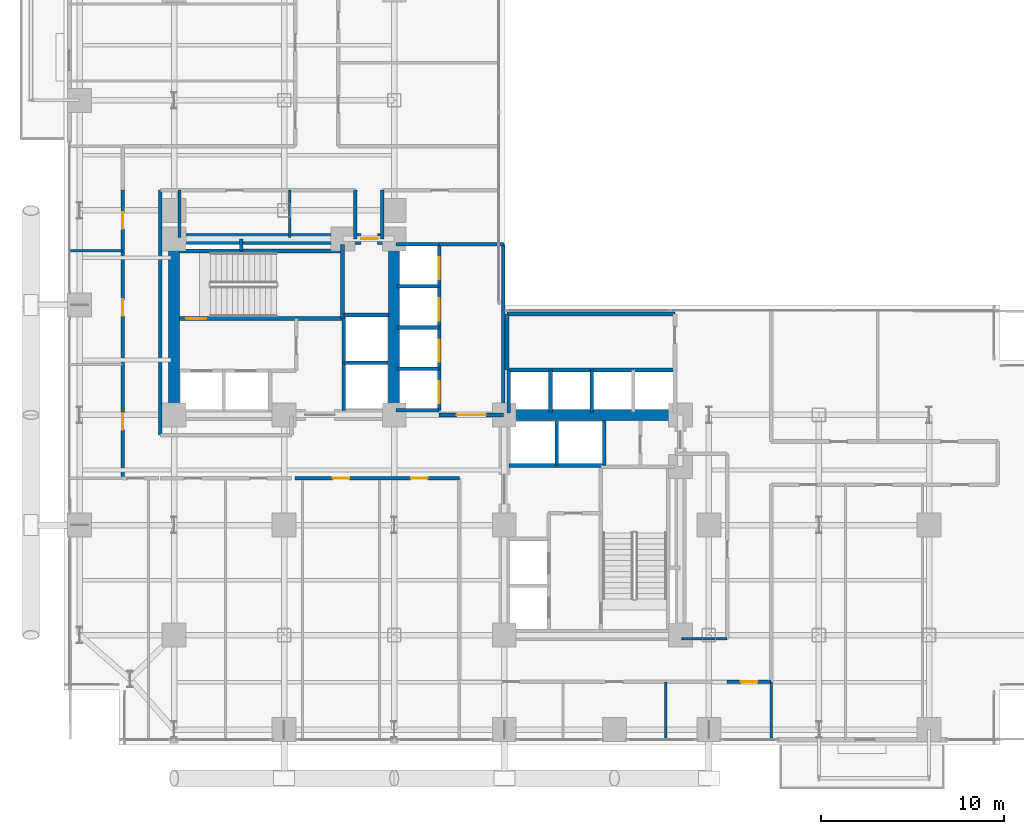
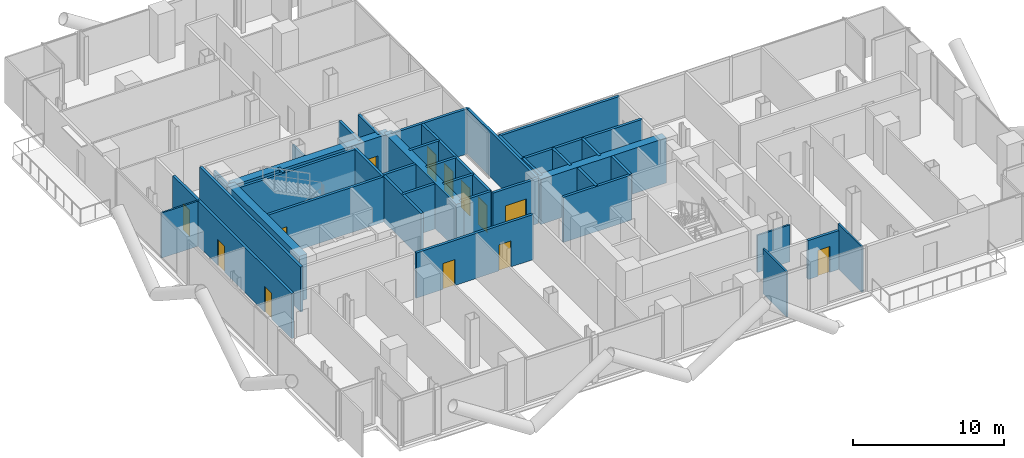
# One storey, part 22 of 27: 41 walls, 13 doors, 13 openings.
"""IFC4 building model written with IfcOpenShell, lengths in metres."""

import ifcopenshell
import ifcopenshell.guid

model = None  # the IFC model being written
_history = None  # IfcOwnerHistory: only IFC2X3 demands one
_inside = {}  # id of a spatial element -> (the spatial element, [elements in it])
_under = {}  # id of a project, library or spatial element -> (it, [spatial elements below it])
_declared = {}  # id of a project -> (the project, [libraries it declares])
_typed = {}  # id of a type object -> (the type object, [elements of that type])
_made_of = {}  # id of a material, layer set ... -> (it, [elements and type objects made of it])


def new_model(schema):
    """Start an empty IFC model of exactly this schema.

    Asked for "IFC4X3", IfcOpenShell would pick the latest addendum, in which some entities
    have other attributes; the version numbers below select the first issue.
    IFC2X3 requires an IfcOwnerHistory on every rooted entity: one is made here for all.
    """
    global model, _history
    if schema == "IFC4X3":
        model = ifcopenshell.file(schema_version=(4, 3, 0, 0))
    else:
        model = ifcopenshell.file(schema=schema)
    _inside.clear()
    _under.clear()
    _declared.clear()
    _typed.clear()
    _made_of.clear()
    _history = None
    if model.schema == "IFC2X3":
        org = make("IfcOrganization", Name="unknown")
        user = make(
            "IfcPersonAndOrganization",
            ThePerson=make("IfcPerson", FamilyName="unknown"),
            TheOrganization=org,
        )
        app = make(
            "IfcApplication",
            ApplicationDeveloper=org,
            Version="unknown",
            ApplicationFullName="unknown",
            ApplicationIdentifier="unknown",
        )
        _history = make(
            "IfcOwnerHistory",
            OwningUser=user,
            OwningApplication=app,
            ChangeAction="ADDED",
            CreationDate=0,
        )
    return model


def make(cls, **values):
    """One entity of the class cls with the attributes given. An attribute that is None is left unset."""
    return model.create_entity(
        cls, **{name: value for name, value in values.items() if value is not None}
    )


def rooted(cls, **values):
    """An entity with a GlobalId (a new one), such as an element, a storey or a relation."""
    return make(cls, GlobalId=ifcopenshell.guid.new(), OwnerHistory=_history, **values)


def si_unit(unit_type, name, prefix=None):
    """IfcSIUnit, for example si_unit("LENGTHUNIT", "METRE", prefix="MILLI")."""
    return make("IfcSIUnit", UnitType=unit_type, Prefix=prefix, Name=name)


def assignment(units):
    """IfcUnitAssignment: the units of a project."""
    return None if units is None else make("IfcUnitAssignment", Units=units)


def point(xyz):
    """IfcCartesianPoint."""
    return None if xyz is None else make("IfcCartesianPoint", Coordinates=xyz)


def direction(xyz):
    """IfcDirection."""
    return None if xyz is None else make("IfcDirection", DirectionRatios=xyz)


def frame(location, z_axis=None, x_axis=None):
    """IfcAxis2Placement3D, a coordinate frame: its origin and axes. An axis left out is left unset."""
    return make(
        "IfcAxis2Placement3D",
        Location=point(location),
        Axis=direction(z_axis),
        RefDirection=direction(x_axis),
    )


def frame_2d(location, x_axis=None):
    """IfcAxis2Placement2D, a coordinate frame in the plane: its origin and x axis."""
    return make(
        "IfcAxis2Placement2D", Location=point(location), RefDirection=direction(x_axis)
    )


def origin():
    """The frame at (0, 0, 0) with its axes left unset."""
    return frame((0.0, 0.0, 0.0))


def place(relative_to, where):
    """IfcLocalPlacement: puts the frame where relative to a parent placement (None: the world)."""
    return make(
        "IfcLocalPlacement", PlacementRelTo=relative_to, RelativePlacement=where
    )


def context(
    kind, dimensions, precision=None, world=None, true_north=None, identifier=None
):
    """IfcGeometricRepresentationContext, for example the 3D "Model" context."""
    return make(
        "IfcGeometricRepresentationContext",
        ContextIdentifier=identifier,
        ContextType=kind,
        CoordinateSpaceDimension=dimensions,
        Precision=precision,
        WorldCoordinateSystem=world,
        TrueNorth=true_north,
    )


def subcontext(parent, identifier, kind, view, scale=None):
    """IfcGeometricRepresentationSubContext, for example "Body" below "Model"."""
    return make(
        "IfcGeometricRepresentationSubContext",
        ContextIdentifier=identifier,
        ContextType=kind,
        ParentContext=parent,
        TargetScale=scale,
        TargetView=view,
    )


def project(units=None, contexts=None):
    """IfcProject with its units and contexts."""
    return rooted(
        "IfcProject",
        Name="project",
        RepresentationContexts=contexts,
        UnitsInContext=assignment(units),
    )


def spatial(cls, under=None, at=None, **own):
    """A site, building, storey or space (cls), placed at a placement, below another one or the project."""
    s = rooted(cls, ObjectPlacement=at, **own)
    if under is not None:
        _under.setdefault(under.id(), (under, []))[1].append(s)
    return s


def profile(cls, at=None, kind="AREA", **sizes):
    """A parametric profile (cls). Its sizes go by their IFC names, for example OverallWidth=200.0."""
    return make(cls, ProfileType=kind, Position=at, **sizes)


def rectangle(**sizes):
    """IfcRectangleProfileDef."""
    return profile("IfcRectangleProfileDef", **sizes)


def extrude(swept, where, along, depth):
    """IfcExtrudedAreaSolid: the profile swept, set in the frame where, extruded along a direction by depth."""
    return make(
        "IfcExtrudedAreaSolid",
        SweptArea=swept,
        Position=where,
        ExtrudedDirection=direction(along),
        Depth=depth,
    )


def shape(context_of_items, identifier, shape_type, items):
    """IfcShapeRepresentation: the items that make up one representation, for example the "Body"."""
    return make(
        "IfcShapeRepresentation",
        ContextOfItems=context_of_items,
        RepresentationIdentifier=identifier,
        RepresentationType=shape_type,
        Items=items,
    )


def material(Name=None, Category=None):
    """IfcMaterial."""
    return make("IfcMaterial", Name=Name, Category=Category)


def layer(
    of_material, thickness, ventilated=None, Name=None, Category=None, Priority=None
):
    """IfcMaterialLayer: one layer of a wall or slab, of a material (None: an air gap)."""
    return make(
        "IfcMaterialLayer",
        Material=of_material,
        LayerThickness=thickness,
        IsVentilated=ventilated,
        Name=Name,
        Category=Category,
        Priority=Priority,
    )


def layer_set(layers, Name=None):
    """IfcMaterialLayerSet."""
    return make("IfcMaterialLayerSet", MaterialLayers=layers, LayerSetName=Name)


def made_of(thing, what):
    """Note that an element or type object is made of a material, layer set ...; save() writes the relation."""
    if what is not None:
        _made_of.setdefault(what.id(), (what, []))[1].append(thing)
    return thing


def type_object(cls, material=None, **own):
    """A type object (cls), such as IfcWallType, which elements share."""
    return made_of(rooted(cls, **own), material)


def element(
    cls,
    number,
    at=None,
    inside=None,
    cuts=None,
    type_object=None,
    material=None,
    context=None,
    identifier="Body",
    shape_type=None,
    held_by="IfcProductDefinitionShape",
    body=None,
    shapes=None,
    **own,
):
    """One element of the class cls, such as IfcWall. Its Tag is "e" and its number.

    at: its placement. inside: the storey or other place that contains it. cuts: it is an
    opening in that element (IfcRelVoidsElement). A single representation is given by context,
    identifier, shape_type and body (its items); several are given by shapes. held_by: the class
    of the entity that holds the representations. save() writes the other relations.
    """
    e = rooted(cls, Tag="e%d" % number, ObjectPlacement=at, **own)
    if body is not None:
        shapes = [shape(context, identifier, shape_type, body)]
    if shapes is not None:
        e.Representation = make(held_by, Representations=shapes)
    if inside is not None:
        _inside.setdefault(inside.id(), (inside, []))[1].append(e)
    if cuts is not None:
        rooted(
            "IfcRelVoidsElement", RelatingBuildingElement=cuts, RelatedOpeningElement=e
        )
    if type_object is not None:
        _typed.setdefault(type_object.id(), (type_object, []))[1].append(e)
    return made_of(e, material)


def fill(opening, filler):
    """IfcRelFillsElement: the door or window that sits in an opening."""
    return rooted(
        "IfcRelFillsElement",
        RelatingOpeningElement=opening,
        RelatedBuildingElement=filler,
    )


def aggregate(whole, parts):
    """IfcRelAggregates: a whole, such as a stair, and the parts it consists of."""
    return rooted("IfcRelAggregates", RelatingObject=whole, RelatedObjects=parts)


def save(model, path):
    """Write the relations noted so far, then the file.

    IfcRelAggregates (storeys below a building ...), IfcRelContainedInSpatialStructure (elements
    in a storey), IfcRelDefinesByType, IfcRelAssociatesMaterial and IfcRelDeclares: one each for
    every whole, place, type object, material and project.
    """
    for whole, parts in _under.values():
        aggregate(whole, parts)
    for where, things in _inside.values():
        rooted(
            "IfcRelContainedInSpatialStructure",
            RelatedElements=things,
            RelatingStructure=where,
        )
    for kind, things in _typed.values():
        rooted("IfcRelDefinesByType", RelatedObjects=things, RelatingType=kind)
    for what, things in _made_of.values():
        rooted("IfcRelAssociatesMaterial", RelatedObjects=things, RelatingMaterial=what)
    for by, libraries in _declared.values():
        rooted("IfcRelDeclares", RelatingContext=by, RelatedDefinitions=libraries)
    model.write(path)


model = new_model("IFC4")

# Units and contexts
model_context = context("Model", 3, precision=1e-05, world=origin(), true_north=direction((0.0, 1.0)))
body_context = subcontext(model_context, "Body", "Model", "MODEL_VIEW")
ifc_project = project(units=[si_unit("LENGTHUNIT", "METRE"), si_unit("AREAUNIT", "SQUARE_METRE"), si_unit("VOLUMEUNIT", "CUBIC_METRE"), si_unit("PLANEANGLEUNIT", "RADIAN"), si_unit("MASSUNIT", "GRAM", prefix="KILO"), si_unit("THERMODYNAMICTEMPERATUREUNIT", "KELVIN"), si_unit("POWERUNIT", "WATT")], contexts=[model_context])

# Site, building, storey
site_placement = place(None, origin())
site = spatial("IfcSite", under=ifc_project, at=site_placement, CompositionType="ELEMENT")
building_placement = place(site_placement, origin())
building = spatial("IfcBuilding", under=site, at=building_placement, Name="Svarakhadi Broadcast Tower", CompositionType="ELEMENT")
storey_placement = place(building_placement, frame((0.0, 0.0, 44.10009765625)))
storey = spatial("IfcBuildingStorey", under=building, at=storey_placement, Name="L09", CompositionType="ELEMENT", Elevation=44.10009765625)

# Wall, opening, door
ifc_material_1 = material(Name="Double-Stud Acoustic Studio Partition STC-62", Category="gypsum")
ifc_layer_1 = layer(ifc_material_1, 0.199951171875)
ifc_layer_set_1 = layer_set([ifc_layer_1], Name="Double-Stud Acoustic Studio Partition STC-62")
wall_type_1 = type_object("IfcWallType", Name="Wall_Acoust_200", PredefinedType="PARTITIONING", material=ifc_layer_set_1)
wall_1_placement = place(storey_placement, frame((38.550048828125, 3.449951171875, 0.0), z_axis=(0.0, 0.0, 1.0), x_axis=(-1.0, 0.0, 0.0)))
wall_1 = element("IfcWall", 1, at=wall_1_placement, inside=storey, type_object=wall_type_1, Name="L09 Broadcast Corridor Wall", PredefinedType="PARTITIONING", context=body_context, shape_type="SweptSolid", body=[
    extrude(rectangle(XDim=2.400146484375, YDim=0.199951171875, at=frame_2d((1.2001953125, 0.0))), origin(), (0.0, 0.0, 1.0), 3.141845703125),
])
opening_1_placement = place(wall_1_placement, frame((0.75, 0.0, 0.0)))
opening_1 = element("IfcOpeningElement", 2, at=opening_1_placement, cuts=wall_1, Name="Opening D-14", PredefinedType="OPENING", context=body_context, shape_type="SweptSolid", body=[
    extrude(rectangle(XDim=0.89990234375, YDim=2.10009765625, at=frame_2d((0.449951171875, 1.050048828125))), frame((0.0, 0.10986328125, 0.0), z_axis=(0.0, -1.0, 0.0), x_axis=(1.0, 0.0, 0.0)), (0.0, 0.0, 1.0), 0.219970703125),
])
ifc_material_2 = material(Name="Solid-Core Teak Veneer Acoustic Timber Leaf", Category="wood")
door_type_1 = type_object("IfcDoorType", Name="Door_Int_D14", OperationType="SINGLE_SWING_LEFT", PredefinedType="DOOR", material=ifc_material_2)
door_1_placement = place(opening_1_placement, origin())
door_1 = element("IfcDoor", 3, at=door_1_placement, inside=storey, type_object=door_type_1, Name="L09 Broadcast Staff Refreshment Pantry Door", OperationType="SINGLE_SWING_LEFT", OverallHeight=2.10009765625, OverallWidth=0.89990234375, PredefinedType="DOOR", context=body_context, shape_type="SweptSolid", body=[
    extrude(rectangle(XDim=0.89990234375, YDim=2.10009765625, at=frame_2d((0.449951171875, 1.050048828125))), frame((0.0, 0.02490234375, 0.0), z_axis=(0.0, -1.0, 0.0), x_axis=(1.0, 0.0, 0.0)), (0.0, 0.0, 1.0), 0.050048828125),
])
fill(opening_1, door_1)

# Wall, openings, doors
wall_2_placement = place(storey_placement, frame((21.550048828125, 14.550048828125, 0.0), z_axis=(0.0, 0.0, 1.0), x_axis=(-1.0, 0.0, 0.0)))
wall_2 = element("IfcWall", 4, at=wall_2_placement, inside=storey, type_object=wall_type_1, Name="L09 Broadcast Corridor Wall", PredefinedType="PARTITIONING", context=body_context, shape_type="SweptSolid", body=[
    extrude(rectangle(XDim=8.949951171875, YDim=0.199951171875, at=frame_2d((4.47509765625, 0.0))), origin(), (0.0, 0.0, 1.0), 3.64990234375),
])
opening_2_placement = place(wall_2_placement, frame((6.0, 0.0, 0.0)))
opening_2 = element("IfcOpeningElement", 5, at=opening_2_placement, cuts=wall_2, Name="Opening D-15", PredefinedType="OPENING", context=body_context, shape_type="SweptSolid", body=[
    extrude(rectangle(XDim=0.89990234375, YDim=2.10009765625, at=frame_2d((0.449951171875, 1.050048828125))), frame((0.0, 0.10986328125, 0.0), z_axis=(0.0, -1.0, 0.0), x_axis=(1.0, 0.0, 0.0)), (0.0, 0.0, 1.0), 0.219970703125),
])
opening_3_placement = place(wall_2_placement, frame((1.72509765625, 0.0, 0.0)))
opening_3 = element("IfcOpeningElement", 6, at=opening_3_placement, cuts=wall_2, Name="Opening D-14", PredefinedType="OPENING", context=body_context, shape_type="SweptSolid", body=[
    extrude(rectangle(XDim=0.89990234375, YDim=2.10009765625, at=frame_2d((0.449951171875, 1.050048828125))), frame((0.0, 0.10986328125, 0.0), z_axis=(0.0, -1.0, 0.0), x_axis=(1.0, 0.0, 0.0)), (0.0, 0.0, 1.0), 0.219970703125),
])
door_2_placement = place(opening_3_placement, origin())
door_2 = element("IfcDoor", 7, at=door_2_placement, inside=storey, type_object=door_type_1, Name="L09 Voice Recording Room Door", OperationType="SINGLE_SWING_LEFT", OverallHeight=2.10009765625, OverallWidth=0.89990234375, PredefinedType="DOOR", context=body_context, shape_type="SweptSolid", body=[
    extrude(rectangle(XDim=0.89990234375, YDim=2.10009765625, at=frame_2d((0.449951171875, 1.050048828125))), frame((0.0, 0.02490234375, 0.0), z_axis=(0.0, -1.0, 0.0), x_axis=(1.0, 0.0, 0.0)), (0.0, 0.0, 1.0), 0.050048828125),
])
fill(opening_3, door_2)
door_type_2 = type_object("IfcDoorType", Name="Door_Int_D15", OperationType="SINGLE_SWING_RIGHT", PredefinedType="DOOR", material=ifc_material_2)
door_3_placement = place(opening_2_placement, origin())
door_3 = element("IfcDoor", 8, at=door_3_placement, inside=storey, type_object=door_type_2, Name="L09 VFX Grading Pod Door", OperationType="SINGLE_SWING_RIGHT", OverallHeight=2.10009765625, OverallWidth=0.89990234375, PredefinedType="DOOR", context=body_context, shape_type="SweptSolid", body=[
    extrude(rectangle(XDim=0.89990234375, YDim=2.10009765625, at=frame_2d((0.449951171875, 1.050048828125))), frame((0.0, 0.02490234375, 0.0), z_axis=(0.0, -1.0, 0.0), x_axis=(1.0, 0.0, 0.0)), (0.0, 0.0, 1.0), 0.050048828125),
])
fill(opening_2, door_3)

wall_3_placement = place(storey_placement, frame((3.199951171875, 14.550048828125, 0.0), z_axis=(0.0, 0.0, 1.0), x_axis=(0.0, 1.0, 0.0)))
wall_3 = element("IfcWall", 9, at=wall_3_placement, inside=storey, type_object=wall_type_1, Name="L09 Broadcast Corridor Wall", PredefinedType="PARTITIONING", context=body_context, shape_type="SweptSolid", body=[
    extrude(rectangle(XDim=15.699951171875, YDim=0.199951171875, at=frame_2d((7.85009765625, 0.0))), origin(), (0.0, 0.0, 1.0), 3.64990234375),
])
opening_4_placement = place(wall_3_placement, frame((2.64990234375, 0.0, 0.0)))
opening_4 = element("IfcOpeningElement", 10, at=opening_4_placement, cuts=wall_3, Name="Opening D-14", PredefinedType="OPENING", context=body_context, shape_type="SweptSolid", body=[
    extrude(rectangle(XDim=0.89990234375, YDim=2.10009765625, at=frame_2d((0.449951171875, 1.050048828125))), frame((0.0, 0.10986328125, 0.0), z_axis=(0.0, -1.0, 0.0), x_axis=(1.0, 0.0, 0.0)), (0.0, 0.0, 1.0), 0.219970703125),
])
opening_5_placement = place(wall_3_placement, frame((8.85009765625, 0.0, 0.0)))
opening_5 = element("IfcOpeningElement", 11, at=opening_5_placement, cuts=wall_3, Name="Opening D-15", PredefinedType="OPENING", context=body_context, shape_type="SweptSolid", body=[
    extrude(rectangle(XDim=0.89990234375, YDim=2.10009765625, at=frame_2d((0.449951171875, 1.050048828125))), frame((0.0, 0.10986328125, 0.0), z_axis=(0.0, -1.0, 0.0), x_axis=(1.0, 0.0, 0.0)), (0.0, 0.0, 1.0), 0.219970703125),
])
opening_6_placement = place(wall_3_placement, frame((13.60009765625, 0.0, 0.0)))
opening_6 = element("IfcOpeningElement", 12, at=opening_6_placement, cuts=wall_3, Name="Opening D-14", PredefinedType="OPENING", context=body_context, shape_type="SweptSolid", body=[
    extrude(rectangle(XDim=0.89990234375, YDim=2.10009765625, at=frame_2d((0.449951171875, 1.050048828125))), frame((0.0, 0.10986328125, 0.0), z_axis=(0.0, -1.0, 0.0), x_axis=(1.0, 0.0, 0.0)), (0.0, 0.0, 1.0), 0.219970703125),
])
door_4_placement = place(opening_4_placement, origin())
door_4 = element("IfcDoor", 13, at=door_4_placement, inside=storey, type_object=door_type_1, Name="L09 Arabian Sea Commentary Booth Door", OperationType="SINGLE_SWING_LEFT", OverallHeight=2.10009765625, OverallWidth=0.89990234375, PredefinedType="DOOR", context=body_context, shape_type="SweptSolid", body=[
    extrude(rectangle(XDim=0.89990234375, YDim=2.10009765625, at=frame_2d((0.449951171875, 1.050048828125))), frame((0.0, 0.02490234375, 0.0), z_axis=(0.0, -1.0, 0.0), x_axis=(1.0, 0.0, 0.0)), (0.0, 0.0, 1.0), 0.050048828125),
])
fill(opening_4, door_4)
door_5_placement = place(opening_6_placement, origin())
door_5 = element("IfcDoor", 14, at=door_5_placement, inside=storey, type_object=door_type_1, Name="L09 Producer Quiet Lounge Door", OperationType="SINGLE_SWING_LEFT", OverallHeight=2.10009765625, OverallWidth=0.89990234375, PredefinedType="DOOR", context=body_context, shape_type="SweptSolid", body=[
    extrude(rectangle(XDim=0.89990234375, YDim=2.10009765625, at=frame_2d((0.449951171875, 1.050048828125))), frame((0.0, 0.02490234375, 0.0), z_axis=(0.0, -1.0, 0.0), x_axis=(1.0, 0.0, 0.0)), (0.0, 0.0, 1.0), 0.050048828125),
])
fill(opening_6, door_5)
door_6_placement = place(opening_5_placement, origin())
door_6 = element("IfcDoor", 15, at=door_6_placement, inside=storey, type_object=door_type_2, Name="L09 Live Translation Studio Door", OperationType="SINGLE_SWING_RIGHT", OverallHeight=2.10009765625, OverallWidth=0.89990234375, PredefinedType="DOOR", context=body_context, shape_type="SweptSolid", body=[
    extrude(rectangle(XDim=0.89990234375, YDim=2.10009765625, at=frame_2d((0.449951171875, 1.050048828125))), frame((0.0, 0.02490234375, 0.0), z_axis=(0.0, -1.0, 0.0), x_axis=(1.0, 0.0, 0.0)), (0.0, 0.0, 1.0), 0.050048828125),
])
fill(opening_5, door_6)

# Walls
for number, where, z_axis, x_axis, name in (
    (16, (17.35009765625, 30.25, 0.0), (0.0, 0.0, 1.0), (0.0, -1.0, 0.0), "L09 Broadcast Corridor Wall"),
    (17, (15.8798828125, 27.580078125, 0.0), (0.0, 0.0, 1.0), (0.0, 1.0, 0.0), "L09 Broadcast Corridor Wall"),
):
    element("IfcWall", number, at=place(storey_placement, frame(where, z_axis=z_axis, x_axis=x_axis)), inside=storey, type_object=wall_type_1, Name=name, PredefinedType="PARTITIONING", context=body_context, shape_type="SweptSolid", body=[
        extrude(rectangle(XDim=2.669921875, YDim=0.199951171875, at=frame_2d((1.3349609375, 0.0))), origin(), (0.0, 0.0, 1.0), 3.64990234375),
    ])
wall_4_placement = place(storey_placement, frame((5.25, 30.25, 0.0), z_axis=(0.0, 0.0, 1.0), x_axis=(0.0, -1.0, 0.0)))
element("IfcWall", 18, at=wall_4_placement, inside=storey, type_object=wall_type_1, Name="L09 Broadcast Corridor Wall", PredefinedType="PARTITIONING", context=body_context, shape_type="SweptSolid", body=[
    extrude(rectangle(XDim=13.35009765625, YDim=0.199951171875, at=frame_2d((6.675048828125, 0.0))), origin(), (0.0, 0.0, 1.0), 3.64990234375),
])
ifc_material_3 = material(Name="Concrete C40/50 (IS 456 M50)", Category="concrete")
ifc_layer_2 = layer(ifc_material_3, 0.199951171875)
ifc_layer_set_2 = layer_set([ifc_layer_2], Name="Concrete C40/50 (IS 456 M50)")
wall_type_2 = type_object("IfcWallType", Name="Wall_Fire_200", PredefinedType="SOLIDWALL", material=ifc_layer_set_2)
wall_5_placement = place(storey_placement, frame((9.659912109375, 26.93994140625, 0.0), z_axis=(0.0, 0.0, 1.0), x_axis=(0.0, 1.0, 0.0)))
element("IfcWall", 19, at=wall_5_placement, inside=storey, type_object=wall_type_2, Name="L09 Wet Riser Shaft East Wall", PredefinedType="SOLIDWALL", context=body_context, shape_type="SweptSolid", body=[
    extrude(rectangle(XDim=0.64013671875, YDim=0.199951171875, at=frame_2d((0.320068359375, 0.0))), origin(), (0.0, 0.0, 1.0), 3.64990234375),
])
ifc_material_4 = material(Name="Fire-Rated Moisture-Resistant Gypsum Board Partition", Category="gypsum")
ifc_layer_3 = layer(ifc_material_4, 0.125)
ifc_layer_set_3 = layer_set([ifc_layer_3], Name="Fire-Rated Moisture-Resistant Gypsum Board Partition")
wall_type_3 = type_object("IfcWallType", Name="Wall_Part_125", PredefinedType="PARTITIONING", material=ifc_layer_set_3)
wall_6_placement = place(storey_placement, frame((0.300048828125, 26.949951171875, 0.0), z_axis=(0.0, 0.0, 1.0), x_axis=(1.0, 0.0, 0.0)))
element("IfcWall", 20, at=wall_6_placement, inside=storey, type_object=wall_type_3, Name="L09 Live Translation Studio Wall", PredefinedType="PARTITIONING", context=body_context, shape_type="SweptSolid", body=[
    extrude(rectangle(XDim=2.89990234375, YDim=0.125, at=frame_2d((1.449951171875, 0.0))), origin(), (0.0, 0.0, 1.0), 3.64990234375),
])
for number, where, z_axis, x_axis, name in (
    (21, (32.800048828125, 0.300048828125, 0.0), (0.0, 0.0, 1.0), (0.0, 1.0, 0.0), "L09 Media Legal Review Office Wall"),
    (22, (38.550048828125, 0.300048828125, 0.0), (0.0, 0.0, 1.0), (0.0, 1.0, 0.0), "L09 Broadcast Staff Refreshment Pantry Wall"),
):
    element("IfcWall", number, at=place(storey_placement, frame(where, z_axis=z_axis, x_axis=x_axis)), inside=storey, type_object=wall_type_3, Name=name, PredefinedType="PARTITIONING", context=body_context, shape_type="SweptSolid", body=[
        extrude(rectangle(XDim=3.14990234375, YDim=0.125, at=frame_2d((1.574951171875, 0.0))), origin(), (0.0, 0.0, 1.0), 3.64990234375),
    ])
wall_7_placement = place(storey_placement, frame((33.64990234375, 5.800048828125, 0.0), z_axis=(0.0, 0.0, 1.0), x_axis=(1.0, 0.0, 0.0)))
element("IfcWall", 23, at=wall_7_placement, inside=storey, type_object=wall_type_3, Name="L09 Live Feed Monitoring Studio Wall", PredefinedType="PARTITIONING", context=body_context, shape_type="SweptSolid", body=[
    extrude(rectangle(XDim=2.5, YDim=0.125, at=frame_2d((1.25, 0.0))), origin(), (0.0, 0.0, 1.0), 2.991943359375),
])
ifc_material_5 = material(Name="Autoclaved Aerated Concrete Blockwork 150 mm", Category="masonry")
ifc_layer_4 = layer(ifc_material_5, 0.14990234375)
ifc_layer_set_4 = layer_set([ifc_layer_4], Name="Autoclaved Aerated Concrete Blockwork 150 mm")
wall_type_4 = type_object("IfcWallType", Name="Wall_Part_150", PredefinedType="PARTITIONING", material=ifc_layer_set_4)
for number, where, z_axis, x_axis, name in (
    (24, (6.300048828125, 27.679931640625, 0.0), (0.0, 0.0, 1.0), (0.0, 1.0, 0.0), "L09 Accessible Toilet WC Wall"),
    (25, (12.300048828125, 27.679931640625, 0.0), (0.0, 0.0, 1.0), (0.0, 1.0, 0.0), "L09 Accessible Toilet WC Wall"),
):
    element("IfcWall", number, at=place(storey_placement, frame(where, z_axis=z_axis, x_axis=x_axis)), inside=storey, type_object=wall_type_4, Name=name, PredefinedType="PARTITIONING", context=body_context, shape_type="SweptSolid", body=[
        extrude(rectangle(XDim=2.570068359375, YDim=0.14990234375, at=frame_2d((1.28515625, 0.0))), origin(), (0.0, 0.0, 1.0), 2.991943359375),
    ])

# Wall, opening, door
ifc_material_6 = material(Name="Concrete C50/60 (IS 456 M60)", Category="concrete")
ifc_layer_5 = layer(ifc_material_6, 0.199951171875)
ifc_layer_set_5 = layer_set([ifc_layer_5], Name="Concrete C50/60 (IS 456 M60)")
wall_type_5 = type_object("IfcWallType", Name="Wall_Shear_200", PredefinedType="SHEAR", material=ifc_layer_set_5)
wall_8_placement = place(storey_placement, frame((6.300048828125, 23.260009765625, 0.0), z_axis=(0.0, 0.0, 1.0), x_axis=(1.0, 0.0, 0.0)))
wall_8 = element("IfcWall", 26, at=wall_8_placement, inside=storey, type_object=wall_type_5, Name="L09 Stair ST-01 South RC Shaft Wall", PredefinedType="SHEAR", context=body_context, shape_type="SweptSolid", body=[
    extrude(rectangle(XDim=8.8798828125, YDim=0.199951171875, at=frame_2d((4.43994140625, 0.0))), origin(), (0.0, 0.0, 1.0), 3.64990234375),
])
opening_7_placement = place(wall_8_placement, frame((0.35009765625, 0.0, 0.0)))
opening_7 = element("IfcOpeningElement", 27, at=opening_7_placement, cuts=wall_8, Name="Opening D-01", PredefinedType="OPENING", context=body_context, shape_type="SweptSolid", body=[
    extrude(rectangle(XDim=1.10009765625, YDim=2.199951171875, at=frame_2d((0.550048828125, 1.10009765625))), frame((0.0, 0.10986328125, 0.0), z_axis=(0.0, -1.0, 0.0), x_axis=(1.0, 0.0, 0.0)), (0.0, 0.0, 1.0), 0.219970703125),
])
ifc_material_7 = material(Name="Galvanised Powder-Coated Fire-Rated Steel Leaf", Category="steel")
door_type_3 = type_object("IfcDoorType", Name="Door_Stair_D01", OperationType="SINGLE_SWING_LEFT", PredefinedType="DOOR", material=ifc_material_7)
door_7_placement = place(opening_7_placement, origin())
door_7 = element("IfcDoor", 28, at=door_7_placement, inside=storey, type_object=door_type_3, Name="L09 Protected Exit Stair ST-01 Fire Door", OperationType="SINGLE_SWING_LEFT", OverallHeight=2.199951171875, OverallWidth=1.10009765625, PredefinedType="DOOR", context=body_context, shape_type="SweptSolid", body=[
    extrude(rectangle(XDim=1.10009765625, YDim=2.199951171875, at=frame_2d((0.550048828125, 1.10009765625))), frame((0.0, 0.02490234375, 0.0), z_axis=(0.0, -1.0, 0.0), x_axis=(1.0, 0.0, 0.0)), (0.0, 0.0, 1.0), 0.050048828125),
])
fill(opening_7, door_7)

# Walls
wall_9_placement = place(storey_placement, frame((6.300048828125, 26.93994140625, 0.0), z_axis=(0.0, 0.0, 1.0), x_axis=(1.0, 0.0, 0.0)))
element("IfcWall", 29, at=wall_9_placement, inside=storey, type_object=wall_type_5, Name="L09 Stair ST-01 North RC Shaft Wall", PredefinedType="SHEAR", context=body_context, shape_type="SweptSolid", body=[
    extrude(rectangle(XDim=8.8798828125, YDim=0.199951171875, at=frame_2d((4.43994140625, 0.0))), origin(), (0.0, 0.0, 1.0), 3.64990234375),
])
wall_10_placement = place(storey_placement, frame((15.179931640625, 23.260009765625, 0.0), z_axis=(0.0, 0.0, 1.0), x_axis=(0.0, 1.0, 0.0)))
element("IfcWall", 30, at=wall_10_placement, inside=storey, type_object=wall_type_5, Name="L09 Stair ST-01 East RC Shaft Wall", PredefinedType="SHEAR", context=body_context, shape_type="SweptSolid", body=[
    extrude(rectangle(XDim=4.0400390625, YDim=0.199951171875, at=frame_2d((2.02001953125, 0.0))), origin(), (0.0, 0.0, 1.0), 3.64990234375),
])
wall_11_placement = place(storey_placement, frame((15.25, 18.25, 0.0), z_axis=(0.0, 0.0, 1.0), x_axis=(0.0, 1.0, 0.0)))
element("IfcWall", 31, at=wall_11_placement, inside=storey, type_object=wall_type_5, Name="L09 High-Rise Lift LF-13/14 West Shaft Wall", PredefinedType="SHEAR", context=body_context, shape_type="SweptSolid", body=[
    extrude(rectangle(XDim=5.199951171875, YDim=0.199951171875, at=frame_2d((2.60009765625, 0.0))), origin(), (0.0, 0.0, 1.0), 3.64990234375),
])
wall_12_placement = place(storey_placement, frame((15.25, 20.85009765625, 0.0), z_axis=(0.0, 0.0, 1.0), x_axis=(1.0, 0.0, 0.0)))
element("IfcWall", 32, at=wall_12_placement, inside=storey, type_object=wall_type_5, Name="L09 High-Rise Lift LF-13/14 Divider", PredefinedType="SHEAR", context=body_context, shape_type="SweptSolid", body=[
    extrude(rectangle(XDim=2.39990234375, YDim=0.199951171875, at=frame_2d((1.199951171875, 0.0))), origin(), (0.0, 0.0, 1.0), 3.64990234375),
])
wall_13_placement = place(storey_placement, frame((15.25, 23.449951171875, 0.0), z_axis=(0.0, 0.0, 1.0), x_axis=(1.0, 0.0, 0.0)))
element("IfcWall", 33, at=wall_13_placement, inside=storey, type_object=wall_type_5, Name="L09 High-Rise Lift LF-13/14 North Wall", PredefinedType="SHEAR", context=body_context, shape_type="SweptSolid", body=[
    extrude(rectangle(XDim=2.449951171875, YDim=0.199951171875, at=frame_2d((1.22509765625, 0.0))), origin(), (0.0, 0.0, 1.0), 3.64990234375),
])
wall_14_placement = place(storey_placement, frame((24.25, 15.25, 0.0), z_axis=(0.0, 0.0, 1.0), x_axis=(1.0, 0.0, 0.0)))
element("IfcWall", 34, at=wall_14_placement, inside=storey, type_object=wall_type_5, Name="L09 High-Rise Lift LF-15/16 South Shaft Wall", PredefinedType="SHEAR", context=body_context, shape_type="SweptSolid", body=[
    extrude(rectangle(XDim=5.199951171875, YDim=0.199951171875, at=frame_2d((2.60009765625, 0.0))), origin(), (0.0, 0.0, 1.0), 3.64990234375),
])
wall_15_placement = place(storey_placement, frame((26.85009765625, 15.25, 0.0), z_axis=(0.0, 0.0, 1.0), x_axis=(0.0, 1.0, 0.0)))
element("IfcWall", 35, at=wall_15_placement, inside=storey, type_object=wall_type_5, Name="L09 High-Rise Lift LF-15/16 Divider", PredefinedType="SHEAR", context=body_context, shape_type="SweptSolid", body=[
    extrude(rectangle(XDim=2.39990234375, YDim=0.199951171875, at=frame_2d((1.199951171875, 0.0))), origin(), (0.0, 0.0, 1.0), 3.64990234375),
])
wall_16_placement = place(storey_placement, frame((29.449951171875, 15.25, 0.0), z_axis=(0.0, 0.0, 1.0), x_axis=(0.0, 1.0, 0.0)))
element("IfcWall", 36, at=wall_16_placement, inside=storey, type_object=wall_type_5, Name="L09 High-Rise Lift LF-15/16 East Wall", PredefinedType="SHEAR", context=body_context, shape_type="SweptSolid", body=[
    extrude(rectangle(XDim=2.449951171875, YDim=0.199951171875, at=frame_2d((1.22509765625, 0.0))), origin(), (0.0, 0.0, 1.0), 3.64990234375),
])
for number, where, z_axis, x_axis, name in (
    (37, (18.10009765625, 27.300048828125, 0.0), (0.0, 0.0, 1.0), (1.0, 0.0, 0.0), "L09 Bank A North Shaft Wall"),
    (38, (18.10009765625, 18.25, 0.0), (0.0, 0.0, 1.0), (1.0, 0.0, 0.0), "L09 Bank A South Shaft Wall"),
):
    element("IfcWall", number, at=place(storey_placement, frame(where, z_axis=z_axis, x_axis=x_axis)), inside=storey, type_object=wall_type_5, Name=name, PredefinedType="SHEAR", context=body_context, shape_type="SweptSolid", body=[
        extrude(rectangle(XDim=2.349853515625, YDim=0.199951171875, at=frame_2d((1.1748046875, 0.0))), origin(), (0.0, 0.0, 1.0), 3.64990234375),
    ])

# Wall, openings, doors
wall_17_placement = place(storey_placement, frame((20.449951171875, 18.25, 0.0), z_axis=(0.0, 0.0, 1.0), x_axis=(0.0, 1.0, 0.0)))
wall_17 = element("IfcWall", 39, at=wall_17_placement, inside=storey, type_object=wall_type_5, Name="L09 Bank A East Landing Wall", PredefinedType="SHEAR", context=body_context, shape_type="SweptSolid", body=[
    extrude(rectangle(XDim=9.050048828125, YDim=0.199951171875, at=frame_2d((4.52490234375, 0.0))), origin(), (0.0, 0.0, 1.0), 3.64990234375),
])
opening_8_placement = place(wall_17_placement, frame((0.39990234375, 0.0, 0.0)))
opening_8 = element("IfcOpeningElement", 40, at=opening_8_placement, cuts=wall_17, Name="Opening LD-02", PredefinedType="OPENING", context=body_context, shape_type="SweptSolid", body=[
    extrude(rectangle(XDim=1.199951171875, YDim=2.199951171875, at=frame_2d((0.60009765625, 1.10009765625))), frame((0.0, 0.10986328125, 0.0), z_axis=(0.0, -1.0, 0.0), x_axis=(1.0, 0.0, 0.0)), (0.0, 0.0, 1.0), 0.219970703125),
])
opening_9_placement = place(wall_17_placement, frame((2.64990234375, 0.0, 0.0)))
opening_9 = element("IfcOpeningElement", 41, at=opening_9_placement, cuts=wall_17, Name="Opening LD-02", PredefinedType="OPENING", context=body_context, shape_type="SweptSolid", body=[
    extrude(rectangle(XDim=1.199951171875, YDim=2.199951171875, at=frame_2d((0.60009765625, 1.10009765625))), frame((0.0, 0.10986328125, 0.0), z_axis=(0.0, -1.0, 0.0), x_axis=(1.0, 0.0, 0.0)), (0.0, 0.0, 1.0), 0.219970703125),
])
opening_10_placement = place(wall_17_placement, frame((4.89990234375, 0.0, 0.0)))
opening_10 = element("IfcOpeningElement", 42, at=opening_10_placement, cuts=wall_17, Name="Opening LD-02", PredefinedType="OPENING", context=body_context, shape_type="SweptSolid", body=[
    extrude(rectangle(XDim=1.199951171875, YDim=2.199951171875, at=frame_2d((0.60009765625, 1.10009765625))), frame((0.0, 0.10986328125, 0.0), z_axis=(0.0, -1.0, 0.0), x_axis=(1.0, 0.0, 0.0)), (0.0, 0.0, 1.0), 0.219970703125),
])
opening_11_placement = place(wall_17_placement, frame((7.14990234375, 0.0, 0.0)))
opening_11 = element("IfcOpeningElement", 43, at=opening_11_placement, cuts=wall_17, Name="Opening LD-02", PredefinedType="OPENING", context=body_context, shape_type="SweptSolid", body=[
    extrude(rectangle(XDim=1.199951171875, YDim=2.199951171875, at=frame_2d((0.60009765625, 1.10009765625))), frame((0.0, 0.10986328125, 0.0), z_axis=(0.0, -1.0, 0.0), x_axis=(1.0, 0.0, 0.0)), (0.0, 0.0, 1.0), 0.219970703125),
])
door_type_4 = type_object("IfcDoorType", Name="Door_Lift_LD02", OperationType="SLIDING_TO_RIGHT", PredefinedType="DOOR", material=ifc_material_7)
door_8_placement = place(opening_8_placement, origin())
door_8 = element("IfcDoor", 44, at=door_8_placement, inside=storey, type_object=door_type_4, Name="L09 Low-Rise Lift LF-05 Landing Door", OperationType="SLIDING_TO_RIGHT", OverallHeight=2.199951171875, OverallWidth=1.199951171875, PredefinedType="DOOR", context=body_context, shape_type="SweptSolid", body=[
    extrude(rectangle(XDim=1.199951171875, YDim=2.199951171875, at=frame_2d((0.60009765625, 1.10009765625))), frame((0.0, 0.02490234375, 0.0), z_axis=(0.0, -1.0, 0.0), x_axis=(1.0, 0.0, 0.0)), (0.0, 0.0, 1.0), 0.050048828125),
])
fill(opening_8, door_8)
door_9_placement = place(opening_9_placement, origin())
door_9 = element("IfcDoor", 45, at=door_9_placement, inside=storey, type_object=door_type_4, Name="L09 Low-Rise Lift LF-06 Landing Door", OperationType="SLIDING_TO_RIGHT", OverallHeight=2.199951171875, OverallWidth=1.199951171875, PredefinedType="DOOR", context=body_context, shape_type="SweptSolid", body=[
    extrude(rectangle(XDim=1.199951171875, YDim=2.199951171875, at=frame_2d((0.60009765625, 1.10009765625))), frame((0.0, 0.02490234375, 0.0), z_axis=(0.0, -1.0, 0.0), x_axis=(1.0, 0.0, 0.0)), (0.0, 0.0, 1.0), 0.050048828125),
])
fill(opening_9, door_9)
door_10_placement = place(opening_10_placement, origin())
door_10 = element("IfcDoor", 46, at=door_10_placement, inside=storey, type_object=door_type_4, Name="L09 Low-Rise Lift LF-07 Landing Door", OperationType="SLIDING_TO_RIGHT", OverallHeight=2.199951171875, OverallWidth=1.199951171875, PredefinedType="DOOR", context=body_context, shape_type="SweptSolid", body=[
    extrude(rectangle(XDim=1.199951171875, YDim=2.199951171875, at=frame_2d((0.60009765625, 1.10009765625))), frame((0.0, 0.02490234375, 0.0), z_axis=(0.0, -1.0, 0.0), x_axis=(1.0, 0.0, 0.0)), (0.0, 0.0, 1.0), 0.050048828125),
])
fill(opening_10, door_10)
door_11_placement = place(opening_11_placement, origin())
door_11 = element("IfcDoor", 47, at=door_11_placement, inside=storey, type_object=door_type_4, Name="L09 Low-Rise Lift LF-08 Landing Door", OperationType="SLIDING_TO_RIGHT", OverallHeight=2.199951171875, OverallWidth=1.199951171875, PredefinedType="DOOR", context=body_context, shape_type="SweptSolid", body=[
    extrude(rectangle(XDim=1.199951171875, YDim=2.199951171875, at=frame_2d((0.60009765625, 1.10009765625))), frame((0.0, 0.02490234375, 0.0), z_axis=(0.0, -1.0, 0.0), x_axis=(1.0, 0.0, 0.0)), (0.0, 0.0, 1.0), 0.050048828125),
])
fill(opening_11, door_11)

# Walls
for number, where, z_axis, x_axis, name in (
    (48, (18.14990234375, 20.52001953125, 0.0), (0.0, 0.0, 1.0), (1.0, 0.0, 0.0), "L09 Bank A Divider"),
    (49, (18.14990234375, 22.77001953125, 0.0), (0.0, 0.0, 1.0), (1.0, 0.0, 0.0), "L09 Bank A Divider"),
    (50, (18.14990234375, 25.02001953125, 0.0), (0.0, 0.0, 1.0), (1.0, 0.0, 0.0), "L09 Bank A Divider"),
):
    element("IfcWall", number, at=place(storey_placement, frame(where, z_axis=z_axis, x_axis=x_axis)), inside=storey, type_object=wall_type_5, Name=name, PredefinedType="SHEAR", context=body_context, shape_type="SweptSolid", body=[
        extrude(rectangle(XDim=2.300048828125, YDim=0.199951171875, at=frame_2d((1.14990234375, 0.0))), origin(), (0.0, 0.0, 1.0), 3.64990234375),
    ])

# Wall, opening, door
wall_18_placement = place(storey_placement, frame((20.449951171875, 18.0, 0.0), z_axis=(0.0, 0.0, 1.0), x_axis=(1.0, 0.0, 0.0)))
wall_18 = element("IfcWall", 51, at=wall_18_placement, inside=storey, type_object=wall_type_5, Name="L09 Bank A Lift Hall South Wall", PredefinedType="SHEAR", context=body_context, shape_type="SweptSolid", body=[
    extrude(rectangle(XDim=3.5, YDim=0.199951171875, at=frame_2d((1.75, 0.0))), origin(), (0.0, 0.0, 1.0), 3.64990234375),
])
opening_12_placement = place(wall_18_placement, frame((0.949951171875, 0.0, 0.0)))
opening_12 = element("IfcOpeningElement", 52, at=opening_12_placement, cuts=wall_18, Name="Opening D-05", PredefinedType="OPENING", context=body_context, shape_type="SweptSolid", body=[
    extrude(rectangle(XDim=1.60009765625, YDim=2.300048828125, at=frame_2d((0.800048828125, 1.14990234375))), frame((0.0, 0.10986328125, 0.0), z_axis=(0.0, -1.0, 0.0), x_axis=(1.0, 0.0, 0.0)), (0.0, 0.0, 1.0), 0.219970703125),
])
ifc_material_8 = material(Name="Anodised Bronze Aluminium AA 6063-T6", Category="aluminium")
door_type_5 = type_object("IfcDoorType", Name="Door_Lobby_D05", OperationType="DOUBLE_DOOR_SLIDING", PredefinedType="DOOR", material=ifc_material_8)
door_12_placement = place(opening_12_placement, origin())
door_12 = element("IfcDoor", 53, at=door_12_placement, inside=storey, type_object=door_type_5, Name="L09 Low-Rise Lift Hall Corridor Door", OperationType="DOUBLE_DOOR_SLIDING", OverallHeight=2.300048828125, OverallWidth=1.60009765625, PredefinedType="DOOR", context=body_context, shape_type="SweptSolid", body=[
    extrude(rectangle(XDim=1.60009765625, YDim=2.300048828125, at=frame_2d((0.800048828125, 1.14990234375))), frame((0.0, 0.02490234375, 0.0), z_axis=(0.0, -1.0, 0.0), x_axis=(1.0, 0.0, 0.0)), (0.0, 0.0, 1.0), 0.050048828125),
])
fill(opening_12, door_12)

# Walls
wall_19_placement = place(storey_placement, frame((20.449951171875, 27.300048828125, 0.0), z_axis=(0.0, 0.0, 1.0), x_axis=(1.0, 0.0, 0.0)))
element("IfcWall", 54, at=wall_19_placement, inside=storey, type_object=wall_type_5, Name="L09 Bank A Lift Hall North Wall", PredefinedType="SHEAR", context=body_context, shape_type="SweptSolid", body=[
    extrude(rectangle(XDim=3.5, YDim=0.199951171875, at=frame_2d((1.75, 0.0))), origin(), (0.0, 0.0, 1.0), 3.64990234375),
])
wall_20_placement = place(storey_placement, frame((23.949951171875, 18.0, 0.0), z_axis=(0.0, 0.0, 1.0), x_axis=(0.0, 1.0, 0.0)))
element("IfcWall", 55, at=wall_20_placement, inside=storey, type_object=wall_type_5, Name="L09 Bank A Lift Hall East Wall", PredefinedType="SHEAR", context=body_context, shape_type="SweptSolid", body=[
    extrude(rectangle(XDim=9.300048828125, YDim=0.199951171875, at=frame_2d((4.64990234375, 0.0))), origin(), (0.0, 0.0, 1.0), 3.64990234375),
])
wall_21_placement = place(storey_placement, frame((24.25, 18.10009765625, 0.0), z_axis=(0.0, 0.0, 1.0), x_axis=(0.0, 1.0, 0.0)))
element("IfcWall", 56, at=wall_21_placement, inside=storey, type_object=wall_type_5, Name="L09 Bank B West Shaft Wall", PredefinedType="SHEAR", context=body_context, shape_type="SweptSolid", body=[
    extrude(rectangle(XDim=2.349853515625, YDim=0.199951171875, at=frame_2d((1.1748046875, 0.0))), origin(), (0.0, 0.0, 1.0), 3.64990234375),
])
wall_22_placement = place(storey_placement, frame((24.25, 20.449951171875, 0.0), z_axis=(0.0, 0.0, 1.0), x_axis=(1.0, 0.0, 0.0)))
element("IfcWall", 57, at=wall_22_placement, inside=storey, type_object=wall_type_5, Name="L09 Bank B North Landing Wall", PredefinedType="SHEAR", context=body_context, shape_type="SweptSolid", body=[
    extrude(rectangle(XDim=9.050048828125, YDim=0.199951171875, at=frame_2d((4.52490234375, 0.0))), origin(), (0.0, 0.0, 1.0), 3.64990234375),
])
for number, where, z_axis, x_axis, name in (
    (58, (26.52001953125, 18.14990234375, 0.0), (0.0, 0.0, 1.0), (0.0, 1.0, 0.0), "L09 Bank B Divider"),
    (59, (28.77001953125, 18.14990234375, 0.0), (0.0, 0.0, 1.0), (0.0, 1.0, 0.0), "L09 Bank B Divider"),
):
    element("IfcWall", number, at=place(storey_placement, frame(where, z_axis=z_axis, x_axis=x_axis)), inside=storey, type_object=wall_type_5, Name=name, PredefinedType="SHEAR", context=body_context, shape_type="SweptSolid", body=[
        extrude(rectangle(XDim=2.300048828125, YDim=0.199951171875, at=frame_2d((1.14990234375, 0.0))), origin(), (0.0, 0.0, 1.0), 3.64990234375),
    ])
wall_23_placement = place(storey_placement, frame((24.14990234375, 23.5, 0.0), z_axis=(0.0, 0.0, 1.0), x_axis=(1.0, 0.0, 0.0)))
element("IfcWall", 60, at=wall_23_placement, inside=storey, type_object=wall_type_5, Name="L09 Bank B Lift Hall North Wall", PredefinedType="SHEAR", context=body_context, shape_type="SweptSolid", body=[
    extrude(rectangle(XDim=9.150146484375, YDim=0.199951171875, at=frame_2d((4.5751953125, 0.0))), origin(), (0.0, 0.0, 1.0), 3.64990234375),
])
wall_24_placement = place(storey_placement, frame((24.14990234375, 20.449951171875, 0.0), z_axis=(0.0, 0.0, 1.0), x_axis=(0.0, 1.0, 0.0)))
element("IfcWall", 61, at=wall_24_placement, inside=storey, type_object=wall_type_5, Name="L09 Bank B Lift Hall West Wall", PredefinedType="SHEAR", context=body_context, shape_type="SweptSolid", body=[
    extrude(rectangle(XDim=3.050048828125, YDim=0.199951171875, at=frame_2d((1.52490234375, 0.0))), origin(), (0.0, 0.0, 1.0), 3.64990234375),
])

# Wall, opening, door
ifc_material_9 = material(Name="Concrete C60/75 (IS 456 M70)", Category="concrete")
ifc_layer_6 = layer(ifc_material_9, 0.60009765625)
ifc_layer_set_6 = layer_set([ifc_layer_6], Name="Concrete C60/75 (IS 456 M70)")
wall_type_6 = type_object("IfcWallType", Name="Wall_Shear_600", PredefinedType="SHEAR", material=ifc_layer_set_6)
wall_25_placement = place(storey_placement, frame((6.0, 27.60009765625, 0.0), z_axis=(0.0, 0.0, 1.0), x_axis=(1.0, 0.0, 0.0)))
wall_25 = element("IfcWall", 62, at=wall_25_placement, inside=storey, type_object=wall_type_6, Name="L09 West Core North Shear Wall", PredefinedType="SHEAR", context=body_context, shape_type="SweptSolid", body=[
    extrude(rectangle(XDim=12.0, YDim=0.60009765625, at=frame_2d((6.0, 0.0))), origin(), (0.0, 0.0, 1.0), 3.64990234375),
])
opening_13_placement = place(wall_25_placement, frame((10.199951171875, 0.0, 0.0)))
opening_13 = element("IfcOpeningElement", 63, at=opening_13_placement, cuts=wall_25, Name="Opening D-03", PredefinedType="OPENING", context=body_context, shape_type="SweptSolid", body=[
    extrude(rectangle(XDim=0.89990234375, YDim=2.14990234375, at=frame_2d((0.449951171875, 1.074951171875))), frame((0.0, 0.31005859375, 0.0), z_axis=(0.0, -1.0, 0.0), x_axis=(1.0, 0.0, 0.0)), (0.0, 0.0, 1.0), 0.6201171875),
])
door_type_6 = type_object("IfcDoorType", Name="Door_Fire_D03", OperationType="SINGLE_SWING_LEFT", PredefinedType="DOOR", material=ifc_material_7)
door_13_placement = place(opening_13_placement, origin())
door_13 = element("IfcDoor", 64, at=door_13_placement, inside=storey, type_object=door_type_6, Name="L09 Core Meter Cupboard Door", OperationType="SINGLE_SWING_LEFT", OverallHeight=2.14990234375, OverallWidth=0.89990234375, PredefinedType="DOOR", context=body_context, shape_type="SweptSolid", body=[
    extrude(rectangle(XDim=0.89990234375, YDim=2.14990234375, at=frame_2d((0.449951171875, 1.074951171875))), frame((0.0, 0.02490234375, 0.0), z_axis=(0.0, -1.0, 0.0), x_axis=(1.0, 0.0, 0.0)), (0.0, 0.0, 1.0), 0.050048828125),
])
fill(opening_13, door_13)

# Walls
for number, where, z_axis, x_axis, name in (
    (65, (6.0, 18.0, 0.0), (0.0, 0.0, 1.0), (0.0, 1.0, 0.0), "L09 West Core West Shear Wall"),
    (66, (18.0, 18.0, 0.0), (0.0, 0.0, 1.0), (0.0, 1.0, 0.0), "L09 West Core East Shear Wall"),
    (67, (24.0, 18.0, 0.0), (0.0, 0.0, 1.0), (1.0, 0.0, 0.0), "L09 East Core North Shear Wall"),
):
    element("IfcWall", number, at=place(storey_placement, frame(where, z_axis=z_axis, x_axis=x_axis)), inside=storey, type_object=wall_type_6, Name=name, PredefinedType="SHEAR", context=body_context, shape_type="SweptSolid", body=[
        extrude(rectangle(XDim=9.60009765625, YDim=0.60009765625, at=frame_2d((4.800048828125, 0.0))), origin(), (0.0, 0.0, 1.0), 3.64990234375),
    ])

save(model, "model.ifc")
